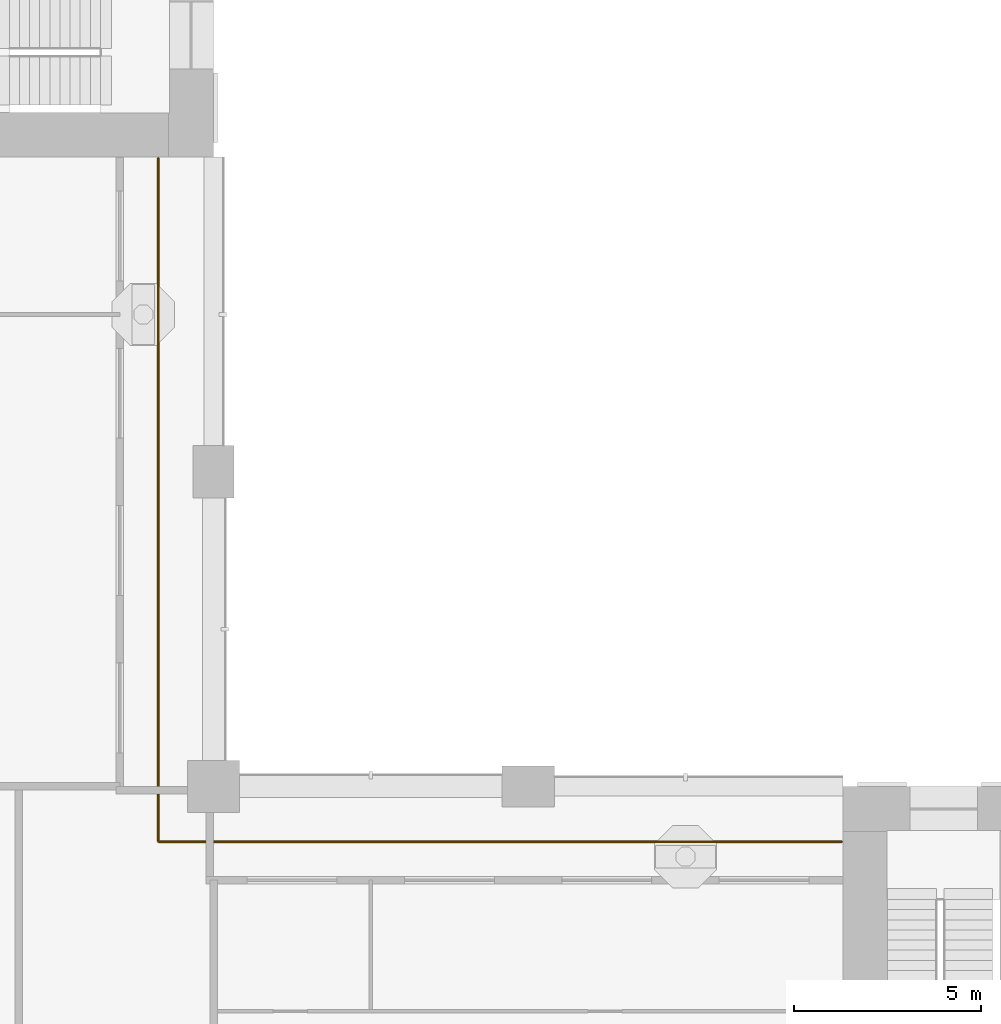
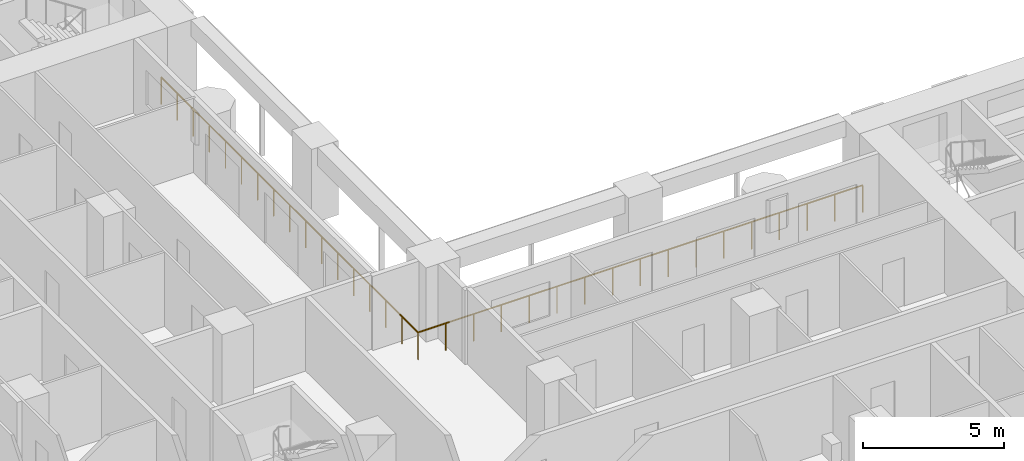
# One storey, part 18 of 23: 1 railing.
"""IFC4 building model written with IfcOpenShell, lengths in metres."""

import ifcopenshell
import ifcopenshell.guid

model = None  # the IFC model being written
_history = None  # IfcOwnerHistory: only IFC2X3 demands one
_inside = {}  # id of a spatial element -> (the spatial element, [elements in it])
_under = {}  # id of a project, library or spatial element -> (it, [spatial elements below it])
_declared = {}  # id of a project -> (the project, [libraries it declares])
_typed = {}  # id of a type object -> (the type object, [elements of that type])
_made_of = {}  # id of a material, layer set ... -> (it, [elements and type objects made of it])


def new_model(schema):
    """Start an empty IFC model of exactly this schema.

    Asked for "IFC4X3", IfcOpenShell would pick the latest addendum, in which some entities
    have other attributes; the version numbers below select the first issue.
    IFC2X3 requires an IfcOwnerHistory on every rooted entity: one is made here for all.
    """
    global model, _history
    if schema == "IFC4X3":
        model = ifcopenshell.file(schema_version=(4, 3, 0, 0))
    else:
        model = ifcopenshell.file(schema=schema)
    _inside.clear()
    _under.clear()
    _declared.clear()
    _typed.clear()
    _made_of.clear()
    _history = None
    if model.schema == "IFC2X3":
        org = make("IfcOrganization", Name="unknown")
        user = make(
            "IfcPersonAndOrganization",
            ThePerson=make("IfcPerson", FamilyName="unknown"),
            TheOrganization=org,
        )
        app = make(
            "IfcApplication",
            ApplicationDeveloper=org,
            Version="unknown",
            ApplicationFullName="unknown",
            ApplicationIdentifier="unknown",
        )
        _history = make(
            "IfcOwnerHistory",
            OwningUser=user,
            OwningApplication=app,
            ChangeAction="ADDED",
            CreationDate=0,
        )
    return model


def make(cls, **values):
    """One entity of the class cls with the attributes given. An attribute that is None is left unset."""
    return model.create_entity(
        cls, **{name: value for name, value in values.items() if value is not None}
    )


def rooted(cls, **values):
    """An entity with a GlobalId (a new one), such as an element, a storey or a relation."""
    return make(cls, GlobalId=ifcopenshell.guid.new(), OwnerHistory=_history, **values)


def si_unit(unit_type, name, prefix=None):
    """IfcSIUnit, for example si_unit("LENGTHUNIT", "METRE", prefix="MILLI")."""
    return make("IfcSIUnit", UnitType=unit_type, Prefix=prefix, Name=name)


def assignment(units):
    """IfcUnitAssignment: the units of a project."""
    return None if units is None else make("IfcUnitAssignment", Units=units)


def point(xyz):
    """IfcCartesianPoint."""
    return None if xyz is None else make("IfcCartesianPoint", Coordinates=xyz)


def direction(xyz):
    """IfcDirection."""
    return None if xyz is None else make("IfcDirection", DirectionRatios=xyz)


def frame(location, z_axis=None, x_axis=None):
    """IfcAxis2Placement3D, a coordinate frame: its origin and axes. An axis left out is left unset."""
    return make(
        "IfcAxis2Placement3D",
        Location=point(location),
        Axis=direction(z_axis),
        RefDirection=direction(x_axis),
    )


def frame_2d(location, x_axis=None):
    """IfcAxis2Placement2D, a coordinate frame in the plane: its origin and x axis."""
    return make(
        "IfcAxis2Placement2D", Location=point(location), RefDirection=direction(x_axis)
    )


def origin():
    """The frame at (0, 0, 0) with its axes left unset."""
    return frame((0.0, 0.0, 0.0))


def origin_2d():
    """The frame at (0, 0) in the plane with its x axis left unset."""
    return frame_2d((0.0, 0.0))


def place(relative_to, where):
    """IfcLocalPlacement: puts the frame where relative to a parent placement (None: the world)."""
    return make(
        "IfcLocalPlacement", PlacementRelTo=relative_to, RelativePlacement=where
    )


def context(
    kind, dimensions, precision=None, world=None, true_north=None, identifier=None
):
    """IfcGeometricRepresentationContext, for example the 3D "Model" context."""
    return make(
        "IfcGeometricRepresentationContext",
        ContextIdentifier=identifier,
        ContextType=kind,
        CoordinateSpaceDimension=dimensions,
        Precision=precision,
        WorldCoordinateSystem=world,
        TrueNorth=true_north,
    )


def subcontext(parent, identifier, kind, view, scale=None):
    """IfcGeometricRepresentationSubContext, for example "Body" below "Model"."""
    return make(
        "IfcGeometricRepresentationSubContext",
        ContextIdentifier=identifier,
        ContextType=kind,
        ParentContext=parent,
        TargetScale=scale,
        TargetView=view,
    )


def project(units=None, contexts=None):
    """IfcProject with its units and contexts."""
    return rooted(
        "IfcProject",
        Name="project",
        RepresentationContexts=contexts,
        UnitsInContext=assignment(units),
    )


def spatial(cls, under=None, at=None, **own):
    """A site, building, storey or space (cls), placed at a placement, below another one or the project."""
    s = rooted(cls, ObjectPlacement=at, **own)
    if under is not None:
        _under.setdefault(under.id(), (under, []))[1].append(s)
    return s


def profile(cls, at=None, kind="AREA", **sizes):
    """A parametric profile (cls). Its sizes go by their IFC names, for example OverallWidth=200.0."""
    return make(cls, ProfileType=kind, Position=at, **sizes)


def circle(**sizes):
    """IfcCircleProfileDef."""
    return profile("IfcCircleProfileDef", **sizes)


def extrude(swept, where, along, depth):
    """IfcExtrudedAreaSolid: the profile swept, set in the frame where, extruded along a direction by depth."""
    return make(
        "IfcExtrudedAreaSolid",
        SweptArea=swept,
        Position=where,
        ExtrudedDirection=direction(along),
        Depth=depth,
    )


def shape(context_of_items, identifier, shape_type, items):
    """IfcShapeRepresentation: the items that make up one representation, for example the "Body"."""
    return make(
        "IfcShapeRepresentation",
        ContextOfItems=context_of_items,
        RepresentationIdentifier=identifier,
        RepresentationType=shape_type,
        Items=items,
    )


def material(Name=None, Category=None):
    """IfcMaterial."""
    return make("IfcMaterial", Name=Name, Category=Category)


def made_of(thing, what):
    """Note that an element or type object is made of a material, layer set ...; save() writes the relation."""
    if what is not None:
        _made_of.setdefault(what.id(), (what, []))[1].append(thing)
    return thing


def type_object(cls, material=None, **own):
    """A type object (cls), such as IfcWallType, which elements share."""
    return made_of(rooted(cls, **own), material)


def element(
    cls,
    number,
    at=None,
    inside=None,
    cuts=None,
    type_object=None,
    material=None,
    context=None,
    identifier="Body",
    shape_type=None,
    held_by="IfcProductDefinitionShape",
    body=None,
    shapes=None,
    **own,
):
    """One element of the class cls, such as IfcWall. Its Tag is "e" and its number.

    at: its placement. inside: the storey or other place that contains it. cuts: it is an
    opening in that element (IfcRelVoidsElement). A single representation is given by context,
    identifier, shape_type and body (its items); several are given by shapes. held_by: the class
    of the entity that holds the representations. save() writes the other relations.
    """
    e = rooted(cls, Tag="e%d" % number, ObjectPlacement=at, **own)
    if body is not None:
        shapes = [shape(context, identifier, shape_type, body)]
    if shapes is not None:
        e.Representation = make(held_by, Representations=shapes)
    if inside is not None:
        _inside.setdefault(inside.id(), (inside, []))[1].append(e)
    if cuts is not None:
        rooted(
            "IfcRelVoidsElement", RelatingBuildingElement=cuts, RelatedOpeningElement=e
        )
    if type_object is not None:
        _typed.setdefault(type_object.id(), (type_object, []))[1].append(e)
    return made_of(e, material)


def aggregate(whole, parts):
    """IfcRelAggregates: a whole, such as a stair, and the parts it consists of."""
    return rooted("IfcRelAggregates", RelatingObject=whole, RelatedObjects=parts)


def save(model, path):
    """Write the relations noted so far, then the file.

    IfcRelAggregates (storeys below a building ...), IfcRelContainedInSpatialStructure (elements
    in a storey), IfcRelDefinesByType, IfcRelAssociatesMaterial and IfcRelDeclares: one each for
    every whole, place, type object, material and project.
    """
    for whole, parts in _under.values():
        aggregate(whole, parts)
    for where, things in _inside.values():
        rooted(
            "IfcRelContainedInSpatialStructure",
            RelatedElements=things,
            RelatingStructure=where,
        )
    for kind, things in _typed.values():
        rooted("IfcRelDefinesByType", RelatedObjects=things, RelatingType=kind)
    for what, things in _made_of.values():
        rooted("IfcRelAssociatesMaterial", RelatedObjects=things, RelatingMaterial=what)
    for by, libraries in _declared.values():
        rooted("IfcRelDeclares", RelatingContext=by, RelatedDefinitions=libraries)
    model.write(path)


model = new_model("IFC4")

# Units and contexts
model_context = context("Model", 3, precision=1e-05, world=origin(), true_north=direction((0.0, 1.0)))
body_context = subcontext(model_context, "Body", "Model", "MODEL_VIEW")
ifc_project = project(units=[si_unit("LENGTHUNIT", "METRE"), si_unit("AREAUNIT", "SQUARE_METRE"), si_unit("VOLUMEUNIT", "CUBIC_METRE"), si_unit("PLANEANGLEUNIT", "RADIAN"), si_unit("MASSUNIT", "GRAM", prefix="KILO")], contexts=[model_context])

# Site, building, storey
site_placement = place(None, origin())
site = spatial("IfcSite", under=ifc_project, at=site_placement, CompositionType="ELEMENT")
building_placement = place(site_placement, origin())
building = spatial("IfcBuilding", under=site, at=building_placement, Name="Vermilion Gate Residences", CompositionType="ELEMENT")
storey_placement = place(building_placement, frame((0.0, 0.0, 25.199951171875)))
storey = spatial("IfcBuildingStorey", under=building, at=storey_placement, Name="L04", CompositionType="ELEMENT", Elevation=25.199951171875)

# Railing
ifc_material = material(Name="Stainless steel and toughened glass", Category="steel")
railing_type = type_object("IfcRailingType", Name="LOGGIA GUARD STEEL AND GLASS 1200", PredefinedType="GUARDRAIL", material=ifc_material)
railing_placement = place(storey_placement, frame((41.97802734375, 23.72509765625, 0.0)))
element("IfcRailing", 1, at=railing_placement, inside=storey, type_object=railing_type, Name="Loggia guard", PredefinedType="GUARDRAIL", context=body_context, shape_type="SweptSolid", body=[
    extrude(circle(Radius=0.030029296875, at=origin_2d()), frame((0.0, 0.0, 1.169921875), z_axis=(-1.0, 0.0, 0.0), x_axis=(0.0, -1.0, 0.0)), (0.0, 0.0, 1.0), 18.2529296875),
    extrude(circle(Radius=0.030029296875, at=origin_2d()), frame((-18.2529296875, 0.0, 1.169921875), z_axis=(0.0, 1.0, 0.0), x_axis=(-1.0, 0.0, 0.0)), (0.0, 0.0, 1.0), 18.2529296875),
    extrude(circle(Radius=0.02490234375, at=origin_2d()), origin(), (0.0, 0.0, 1.0), 1.139892578125),
    extrude(circle(Radius=0.02490234375, at=origin_2d()), frame((-1.140869140625, 0.0, 0.0)), (0.0, 0.0, 1.0), 1.139892578125),
    extrude(circle(Radius=0.02490234375, at=origin_2d()), frame((-2.28173828125, 0.0, 0.0)), (0.0, 0.0, 1.0), 1.139892578125),
    extrude(circle(Radius=0.02490234375, at=origin_2d()), frame((-3.42236328125, 0.0, 0.0)), (0.0, 0.0, 1.0), 1.139892578125),
    extrude(circle(Radius=0.02490234375, at=origin_2d()), frame((-4.563232421875, 0.0, 0.0)), (0.0, 0.0, 1.0), 1.139892578125),
    extrude(circle(Radius=0.02490234375, at=origin_2d()), frame((-5.7041015625, 0.0, 0.0)), (0.0, 0.0, 1.0), 1.139892578125),
    extrude(circle(Radius=0.02490234375, at=origin_2d()), frame((-6.8447265625, 0.0, 0.0)), (0.0, 0.0, 1.0), 1.139892578125),
    extrude(circle(Radius=0.02490234375, at=origin_2d()), frame((-7.985595703125, 0.0, 0.0)), (0.0, 0.0, 1.0), 1.139892578125),
    extrude(circle(Radius=0.02490234375, at=origin_2d()), frame((-9.12646484375, 0.0, 0.0)), (0.0, 0.0, 1.0), 1.139892578125),
    extrude(circle(Radius=0.02490234375, at=origin_2d()), frame((-10.267333984375, 0.0, 0.0)), (0.0, 0.0, 1.0), 1.139892578125),
    extrude(circle(Radius=0.02490234375, at=origin_2d()), frame((-11.408203125, 0.0, 0.0)), (0.0, 0.0, 1.0), 1.139892578125),
    extrude(circle(Radius=0.02490234375, at=origin_2d()), frame((-12.548828125, 0.0, 0.0)), (0.0, 0.0, 1.0), 1.139892578125),
    extrude(circle(Radius=0.02490234375, at=origin_2d()), frame((-13.689697265625, 0.0, 0.0)), (0.0, 0.0, 1.0), 1.139892578125),
    extrude(circle(Radius=0.02490234375, at=origin_2d()), frame((-14.83056640625, 0.0, 0.0)), (0.0, 0.0, 1.0), 1.139892578125),
    extrude(circle(Radius=0.02490234375, at=origin_2d()), frame((-15.97119140625, 0.0, 0.0)), (0.0, 0.0, 1.0), 1.139892578125),
    extrude(circle(Radius=0.02490234375, at=origin_2d()), frame((-17.112060546875, 0.0, 0.0)), (0.0, 0.0, 1.0), 1.139892578125),
    extrude(circle(Radius=0.02490234375, at=origin_2d()), frame((-18.2529296875, 0.0, 0.0)), (0.0, 0.0, 1.0), 1.139892578125),
    extrude(circle(Radius=0.02490234375, at=origin_2d()), frame((-18.2529296875, 1.140869140625, 0.0)), (0.0, 0.0, 1.0), 1.139892578125),
    extrude(circle(Radius=0.02490234375, at=origin_2d()), frame((-18.2529296875, 2.28173828125, 0.0)), (0.0, 0.0, 1.0), 1.139892578125),
    extrude(circle(Radius=0.02490234375, at=origin_2d()), frame((-18.2529296875, 3.42236328125, 0.0)), (0.0, 0.0, 1.0), 1.139892578125),
    extrude(circle(Radius=0.02490234375, at=origin_2d()), frame((-18.2529296875, 4.563232421875, 0.0)), (0.0, 0.0, 1.0), 1.139892578125),
    extrude(circle(Radius=0.02490234375, at=origin_2d()), frame((-18.2529296875, 5.7041015625, 0.0)), (0.0, 0.0, 1.0), 1.139892578125),
    extrude(circle(Radius=0.02490234375, at=origin_2d()), frame((-18.2529296875, 6.8447265625, 0.0)), (0.0, 0.0, 1.0), 1.139892578125),
    extrude(circle(Radius=0.02490234375, at=origin_2d()), frame((-18.2529296875, 7.985595703125, 0.0)), (0.0, 0.0, 1.0), 1.139892578125),
    extrude(circle(Radius=0.02490234375, at=origin_2d()), frame((-18.2529296875, 9.12646484375, 0.0)), (0.0, 0.0, 1.0), 1.139892578125),
    extrude(circle(Radius=0.02490234375, at=origin_2d()), frame((-18.2529296875, 10.267333984375, 0.0)), (0.0, 0.0, 1.0), 1.139892578125),
    extrude(circle(Radius=0.02490234375, at=origin_2d()), frame((-18.2529296875, 11.408203125, 0.0)), (0.0, 0.0, 1.0), 1.139892578125),
    extrude(circle(Radius=0.02490234375, at=origin_2d()), frame((-18.2529296875, 12.548828125, 0.0)), (0.0, 0.0, 1.0), 1.139892578125),
    extrude(circle(Radius=0.02490234375, at=origin_2d()), frame((-18.2529296875, 13.689697265625, 0.0)), (0.0, 0.0, 1.0), 1.139892578125),
    extrude(circle(Radius=0.02490234375, at=origin_2d()), frame((-18.2529296875, 14.83056640625, 0.0)), (0.0, 0.0, 1.0), 1.139892578125),
    extrude(circle(Radius=0.02490234375, at=origin_2d()), frame((-18.2529296875, 15.97119140625, 0.0)), (0.0, 0.0, 1.0), 1.139892578125),
    extrude(circle(Radius=0.02490234375, at=origin_2d()), frame((-18.2529296875, 17.112060546875, 0.0)), (0.0, 0.0, 1.0), 1.139892578125),
    extrude(circle(Radius=0.02490234375, at=origin_2d()), frame((-18.2529296875, 18.2529296875, 0.0)), (0.0, 0.0, 1.0), 1.139892578125),
])

save(model, "model.ifc")
